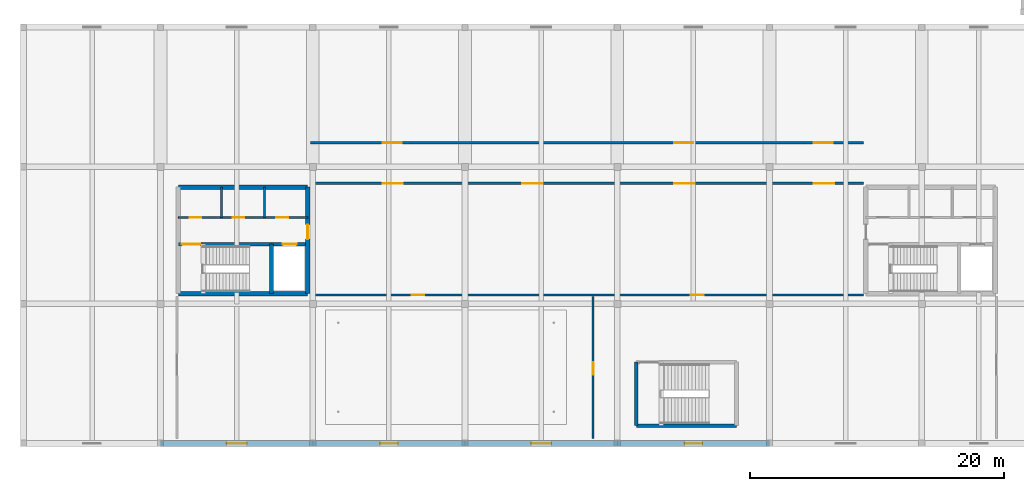
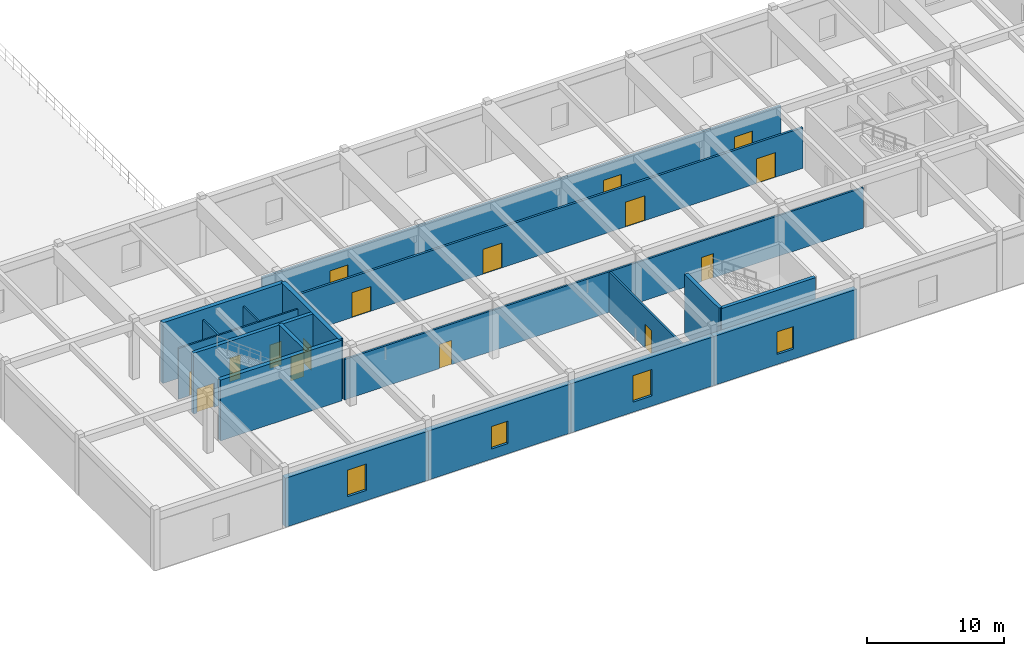
# One storey, part 82 of 97: 18 walls, 16 doors, 4 windows, 20 openings.
"""IFC4 building model written with IfcOpenShell, lengths in metres."""

import ifcopenshell
import ifcopenshell.guid

model = None  # the IFC model being written
_history = None  # IfcOwnerHistory: only IFC2X3 demands one
_inside = {}  # id of a spatial element -> (the spatial element, [elements in it])
_under = {}  # id of a project, library or spatial element -> (it, [spatial elements below it])
_declared = {}  # id of a project -> (the project, [libraries it declares])
_typed = {}  # id of a type object -> (the type object, [elements of that type])
_made_of = {}  # id of a material, layer set ... -> (it, [elements and type objects made of it])


def new_model(schema):
    """Start an empty IFC model of exactly this schema.

    Asked for "IFC4X3", IfcOpenShell would pick the latest addendum, in which some entities
    have other attributes; the version numbers below select the first issue.
    IFC2X3 requires an IfcOwnerHistory on every rooted entity: one is made here for all.
    """
    global model, _history
    if schema == "IFC4X3":
        model = ifcopenshell.file(schema_version=(4, 3, 0, 0))
    else:
        model = ifcopenshell.file(schema=schema)
    _inside.clear()
    _under.clear()
    _declared.clear()
    _typed.clear()
    _made_of.clear()
    _history = None
    if model.schema == "IFC2X3":
        org = make("IfcOrganization", Name="unknown")
        user = make(
            "IfcPersonAndOrganization",
            ThePerson=make("IfcPerson", FamilyName="unknown"),
            TheOrganization=org,
        )
        app = make(
            "IfcApplication",
            ApplicationDeveloper=org,
            Version="unknown",
            ApplicationFullName="unknown",
            ApplicationIdentifier="unknown",
        )
        _history = make(
            "IfcOwnerHistory",
            OwningUser=user,
            OwningApplication=app,
            ChangeAction="ADDED",
            CreationDate=0,
        )
    return model


def make(cls, **values):
    """One entity of the class cls with the attributes given. An attribute that is None is left unset."""
    return model.create_entity(
        cls, **{name: value for name, value in values.items() if value is not None}
    )


def rooted(cls, **values):
    """An entity with a GlobalId (a new one), such as an element, a storey or a relation."""
    return make(cls, GlobalId=ifcopenshell.guid.new(), OwnerHistory=_history, **values)


def si_unit(unit_type, name, prefix=None):
    """IfcSIUnit, for example si_unit("LENGTHUNIT", "METRE", prefix="MILLI")."""
    return make("IfcSIUnit", UnitType=unit_type, Prefix=prefix, Name=name)


def derived_unit(unit_type, elements):
    """IfcDerivedUnit: a product of units, each with its exponent."""
    return make(
        "IfcDerivedUnit",
        Elements=[
            make("IfcDerivedUnitElement", Unit=unit, Exponent=power)
            for unit, power in elements
        ],
        UnitType=unit_type,
    )


def assignment(units):
    """IfcUnitAssignment: the units of a project."""
    return None if units is None else make("IfcUnitAssignment", Units=units)


def point(xyz):
    """IfcCartesianPoint."""
    return None if xyz is None else make("IfcCartesianPoint", Coordinates=xyz)


def direction(xyz):
    """IfcDirection."""
    return None if xyz is None else make("IfcDirection", DirectionRatios=xyz)


def frame(location, z_axis=None, x_axis=None):
    """IfcAxis2Placement3D, a coordinate frame: its origin and axes. An axis left out is left unset."""
    return make(
        "IfcAxis2Placement3D",
        Location=point(location),
        Axis=direction(z_axis),
        RefDirection=direction(x_axis),
    )


def frame_2d(location, x_axis=None):
    """IfcAxis2Placement2D, a coordinate frame in the plane: its origin and x axis."""
    return make(
        "IfcAxis2Placement2D", Location=point(location), RefDirection=direction(x_axis)
    )


def origin():
    """The frame at (0, 0, 0) with its axes left unset."""
    return frame((0.0, 0.0, 0.0))


def place(relative_to, where):
    """IfcLocalPlacement: puts the frame where relative to a parent placement (None: the world)."""
    return make(
        "IfcLocalPlacement", PlacementRelTo=relative_to, RelativePlacement=where
    )


def context(
    kind, dimensions, precision=None, world=None, true_north=None, identifier=None
):
    """IfcGeometricRepresentationContext, for example the 3D "Model" context."""
    return make(
        "IfcGeometricRepresentationContext",
        ContextIdentifier=identifier,
        ContextType=kind,
        CoordinateSpaceDimension=dimensions,
        Precision=precision,
        WorldCoordinateSystem=world,
        TrueNorth=true_north,
    )


def subcontext(parent, identifier, kind, view, scale=None):
    """IfcGeometricRepresentationSubContext, for example "Body" below "Model"."""
    return make(
        "IfcGeometricRepresentationSubContext",
        ContextIdentifier=identifier,
        ContextType=kind,
        ParentContext=parent,
        TargetScale=scale,
        TargetView=view,
    )


def project(units=None, contexts=None):
    """IfcProject with its units and contexts."""
    return rooted(
        "IfcProject",
        Name="project",
        RepresentationContexts=contexts,
        UnitsInContext=assignment(units),
    )


def spatial(cls, under=None, at=None, **own):
    """A site, building, storey or space (cls), placed at a placement, below another one or the project."""
    s = rooted(cls, ObjectPlacement=at, **own)
    if under is not None:
        _under.setdefault(under.id(), (under, []))[1].append(s)
    return s


def profile(cls, at=None, kind="AREA", **sizes):
    """A parametric profile (cls). Its sizes go by their IFC names, for example OverallWidth=200.0."""
    return make(cls, ProfileType=kind, Position=at, **sizes)


def rectangle(**sizes):
    """IfcRectangleProfileDef."""
    return profile("IfcRectangleProfileDef", **sizes)


def extrude(swept, where, along, depth):
    """IfcExtrudedAreaSolid: the profile swept, set in the frame where, extruded along a direction by depth."""
    return make(
        "IfcExtrudedAreaSolid",
        SweptArea=swept,
        Position=where,
        ExtrudedDirection=direction(along),
        Depth=depth,
    )


def shape(context_of_items, identifier, shape_type, items):
    """IfcShapeRepresentation: the items that make up one representation, for example the "Body"."""
    return make(
        "IfcShapeRepresentation",
        ContextOfItems=context_of_items,
        RepresentationIdentifier=identifier,
        RepresentationType=shape_type,
        Items=items,
    )


def material(Name=None, Category=None):
    """IfcMaterial."""
    return make("IfcMaterial", Name=Name, Category=Category)


def layer(
    of_material, thickness, ventilated=None, Name=None, Category=None, Priority=None
):
    """IfcMaterialLayer: one layer of a wall or slab, of a material (None: an air gap)."""
    return make(
        "IfcMaterialLayer",
        Material=of_material,
        LayerThickness=thickness,
        IsVentilated=ventilated,
        Name=Name,
        Category=Category,
        Priority=Priority,
    )


def layer_set(layers, Name=None):
    """IfcMaterialLayerSet."""
    return make("IfcMaterialLayerSet", MaterialLayers=layers, LayerSetName=Name)


def made_of(thing, what):
    """Note that an element or type object is made of a material, layer set ...; save() writes the relation."""
    if what is not None:
        _made_of.setdefault(what.id(), (what, []))[1].append(thing)
    return thing


def type_object(cls, material=None, **own):
    """A type object (cls), such as IfcWallType, which elements share."""
    return made_of(rooted(cls, **own), material)


def element(
    cls,
    number,
    at=None,
    inside=None,
    cuts=None,
    type_object=None,
    material=None,
    context=None,
    identifier="Body",
    shape_type=None,
    held_by="IfcProductDefinitionShape",
    body=None,
    shapes=None,
    **own,
):
    """One element of the class cls, such as IfcWall. Its Tag is "e" and its number.

    at: its placement. inside: the storey or other place that contains it. cuts: it is an
    opening in that element (IfcRelVoidsElement). A single representation is given by context,
    identifier, shape_type and body (its items); several are given by shapes. held_by: the class
    of the entity that holds the representations. save() writes the other relations.
    """
    e = rooted(cls, Tag="e%d" % number, ObjectPlacement=at, **own)
    if body is not None:
        shapes = [shape(context, identifier, shape_type, body)]
    if shapes is not None:
        e.Representation = make(held_by, Representations=shapes)
    if inside is not None:
        _inside.setdefault(inside.id(), (inside, []))[1].append(e)
    if cuts is not None:
        rooted(
            "IfcRelVoidsElement", RelatingBuildingElement=cuts, RelatedOpeningElement=e
        )
    if type_object is not None:
        _typed.setdefault(type_object.id(), (type_object, []))[1].append(e)
    return made_of(e, material)


def fill(opening, filler):
    """IfcRelFillsElement: the door or window that sits in an opening."""
    return rooted(
        "IfcRelFillsElement",
        RelatingOpeningElement=opening,
        RelatedBuildingElement=filler,
    )


def aggregate(whole, parts):
    """IfcRelAggregates: a whole, such as a stair, and the parts it consists of."""
    return rooted("IfcRelAggregates", RelatingObject=whole, RelatedObjects=parts)


def save(model, path):
    """Write the relations noted so far, then the file.

    IfcRelAggregates (storeys below a building ...), IfcRelContainedInSpatialStructure (elements
    in a storey), IfcRelDefinesByType, IfcRelAssociatesMaterial and IfcRelDeclares: one each for
    every whole, place, type object, material and project.
    """
    for whole, parts in _under.values():
        aggregate(whole, parts)
    for where, things in _inside.values():
        rooted(
            "IfcRelContainedInSpatialStructure",
            RelatedElements=things,
            RelatingStructure=where,
        )
    for kind, things in _typed.values():
        rooted("IfcRelDefinesByType", RelatedObjects=things, RelatingType=kind)
    for what, things in _made_of.values():
        rooted("IfcRelAssociatesMaterial", RelatedObjects=things, RelatingMaterial=what)
    for by, libraries in _declared.values():
        rooted("IfcRelDeclares", RelatingContext=by, RelatedDefinitions=libraries)
    model.write(path)


model = new_model("IFC4")

# Units and contexts
model_context = context("Model", 3, precision=1e-05, world=origin(), true_north=direction((0.0, 1.0)))
body_context = subcontext(model_context, "Body", "Model", "MODEL_VIEW")
ifc_project = project(units=[si_unit("LENGTHUNIT", "METRE"), si_unit("AREAUNIT", "SQUARE_METRE"), si_unit("VOLUMEUNIT", "CUBIC_METRE"), si_unit("PLANEANGLEUNIT", "RADIAN"), si_unit("MASSUNIT", "GRAM", prefix="KILO"), derived_unit("THERMALTRANSMITTANCEUNIT", [(si_unit("POWERUNIT", "WATT"), 1), (si_unit("LENGTHUNIT", "METRE"), -2), (si_unit("THERMODYNAMICTEMPERATUREUNIT", "KELVIN"), -1)])], contexts=[model_context])

# Site, building, storey
site_placement = place(None, origin())
site = spatial("IfcSite", under=ifc_project, at=site_placement, CompositionType="ELEMENT")
building_placement = place(site_placement, origin())
building = spatial("IfcBuilding", under=site, at=building_placement, Name="Almenara Railside Exhibition Hall", CompositionType="ELEMENT")
storey_placement = place(building_placement, frame((0.0, 0.0, 10.800048828125)))
storey = spatial("IfcBuildingStorey", under=building, at=storey_placement, Name="L02", CompositionType="ELEMENT", Elevation=10.800048828125)

# Wall, opening, door
ifc_material_1 = material(Name="Double-stud acoustic gypsum partition")
ifc_layer_1 = layer(ifc_material_1, 0.159912109375, Name="Double-stud acoustic gypsum partition")
ifc_layer_set_1 = layer_set([ifc_layer_1], Name="Double-stud acoustic gypsum partition")
wall_type_1 = type_object("IfcWallType", Name="Acoustic Congress Partition 160mm", PredefinedType="PARTITIONING", material=ifc_layer_set_1)
wall_1_placement = place(storey_placement, frame((160.10009765625, 0.39990234375, 0.0), z_axis=(0.0, 0.0, 1.0), x_axis=(0.0, 1.0, 0.0)))
wall_1 = element("IfcWall", 1, at=wall_1_placement, inside=storey, type_object=wall_type_1, Name="Interior wall 0386", PredefinedType="PARTITIONING", context=body_context, shape_type="SweptSolid", body=[
    extrude(rectangle(XDim=11.2001953125, YDim=0.159912109375, at=frame_2d((5.60009765625, 0.0))), origin(), (0.0, 0.0, 1.0), 3.599853515625),
])
opening_1_placement = place(wall_1_placement, frame((5.0, 0.0, 0.0)))
opening_1 = element("IfcOpeningElement", 2, at=opening_1_placement, cuts=wall_1, Name="Opening ID-10", PredefinedType="OPENING", context=body_context, shape_type="SweptSolid", body=[
    extrude(rectangle(XDim=1.0, YDim=2.14990234375, at=frame_2d((0.5, 1.074951171875))), frame((0.0, 0.08984375, 0.0), z_axis=(0.0, -1.0, 0.0), x_axis=(1.0, 0.0, 0.0)), (0.0, 0.0, 1.0), 0.179931640625),
])
ifc_material_2 = material(Name="Iroko hardwood single door", Category="wood")
door_type_1 = type_object("IfcDoorType", Name="Standard Room Single Door 1000x2150", OperationType="NOTDEFINED", PredefinedType="DOOR", material=ifc_material_2)
door_1_placement = place(opening_1_placement, origin())
door_1 = element("IfcDoor", 3, at=door_1_placement, inside=storey, type_object=door_type_1, Name="Interior door ID-10-260", OperationType="SINGLE_SWING_RIGHT", OverallHeight=2.14990234375, OverallWidth=1.0, PredefinedType="DOOR", context=body_context, shape_type="SweptSolid", body=[
    extrude(rectangle(XDim=1.0, YDim=2.14990234375, at=frame_2d((0.5, 1.074951171875))), frame((0.0, 0.02490234375, 0.0), z_axis=(0.0, -1.0, 0.0), x_axis=(1.0, 0.0, 0.0)), (0.0, 0.0, 1.0), 0.050048828125),
])
fill(opening_1, door_1)

# Wall, openings, doors
wall_2_placement = place(storey_placement, frame((137.800048828125, 11.699951171875, 0.0), z_axis=(0.0, 0.0, 1.0), x_axis=(1.0, 0.0, 0.0)))
wall_2 = element("IfcWall", 4, at=wall_2_placement, inside=storey, type_object=wall_type_1, Name="Interior wall 0387", PredefinedType="PARTITIONING", context=body_context, shape_type="SweptSolid", body=[
    extrude(rectangle(XDim=43.599853515625, YDim=0.159912109375, at=frame_2d((21.7998046875, 0.0))), origin(), (0.0, 0.0, 1.0), 3.599853515625),
])
opening_2_placement = place(wall_2_placement, frame((8.0, 0.0, 0.0)))
opening_2 = element("IfcOpeningElement", 5, at=opening_2_placement, cuts=wall_2, Name="Opening ID-10", PredefinedType="OPENING", context=body_context, shape_type="SweptSolid", body=[
    extrude(rectangle(XDim=1.0, YDim=2.14990234375, at=frame_2d((0.5, 1.074951171875))), frame((0.0, 0.08984375, 0.0), z_axis=(0.0, -1.0, 0.0), x_axis=(1.0, 0.0, 0.0)), (0.0, 0.0, 1.0), 0.179931640625),
])
opening_3_placement = place(wall_2_placement, frame((30.0, 0.0, 0.0)))
opening_3 = element("IfcOpeningElement", 6, at=opening_3_placement, cuts=wall_2, Name="Opening ID-10", PredefinedType="OPENING", context=body_context, shape_type="SweptSolid", body=[
    extrude(rectangle(XDim=1.0, YDim=2.14990234375, at=frame_2d((0.5, 1.074951171875))), frame((0.0, 0.08984375, 0.0), z_axis=(0.0, -1.0, 0.0), x_axis=(1.0, 0.0, 0.0)), (0.0, 0.0, 1.0), 0.179931640625),
])
door_2_placement = place(opening_2_placement, origin())
door_2 = element("IfcDoor", 7, at=door_2_placement, inside=storey, type_object=door_type_1, Name="Interior door ID-10-261", OperationType="SINGLE_SWING_LEFT", OverallHeight=2.14990234375, OverallWidth=1.0, PredefinedType="DOOR", context=body_context, shape_type="SweptSolid", body=[
    extrude(rectangle(XDim=1.0, YDim=2.14990234375, at=frame_2d((0.5, 1.074951171875))), frame((0.0, 0.02490234375, 0.0), z_axis=(0.0, -1.0, 0.0), x_axis=(1.0, 0.0, 0.0)), (0.0, 0.0, 1.0), 0.050048828125),
])
fill(opening_2, door_2)
door_3_placement = place(opening_3_placement, origin())
door_3 = element("IfcDoor", 8, at=door_3_placement, inside=storey, type_object=door_type_1, Name="Interior door ID-10-262", OperationType="SINGLE_SWING_RIGHT", OverallHeight=2.14990234375, OverallWidth=1.0, PredefinedType="DOOR", context=body_context, shape_type="SweptSolid", body=[
    extrude(rectangle(XDim=1.0, YDim=2.14990234375, at=frame_2d((0.5, 1.074951171875))), frame((0.0, 0.02490234375, 0.0), z_axis=(0.0, -1.0, 0.0), x_axis=(1.0, 0.0, 0.0)), (0.0, 0.0, 1.0), 0.050048828125),
])
fill(opening_3, door_3)

# Walls
ifc_material_3 = material(Name="Concrete C35/45", Category="concrete")
ifc_layer_2 = layer(ifc_material_3, 0.35009765625, Name="Concrete C35/45")
ifc_layer_set_2 = layer_set([ifc_layer_2], Name="Concrete C35/45")
wall_type_2 = type_object("IfcWallType", Name="Core Coupled Shear Wall 350mm C35/45", PredefinedType="SHEAR", material=ifc_layer_set_2)
for number, where, z_axis, x_axis, name in (
    (9, (127.39990234375, 11.800048828125, 0.0), (0.0, 0.0, 1.0), (1.0, 0.0, 0.0), "Interior wall 0127"),
    (10, (137.60009765625, 20.199951171875, 0.0), (0.0, 0.0, 1.0), (-1.0, 0.0, 0.0), "Interior wall 0128"),
):
    element("IfcWall", number, at=place(storey_placement, frame(where, z_axis=z_axis, x_axis=x_axis)), inside=storey, type_object=wall_type_2, Name=name, PredefinedType="SHEAR", context=body_context, shape_type="SweptSolid", body=[
        extrude(rectangle(XDim=10.2001953125, YDim=0.35009765625, at=frame_2d((5.10009765625, 0.0))), origin(), (0.0, 0.0, 1.0), 5.39990234375),
    ])

# Wall, opening, door
wall_3_placement = place(storey_placement, frame((137.60009765625, 11.800048828125, 0.0), z_axis=(0.0, 0.0, 1.0), x_axis=(0.0, 1.0, 0.0)))
wall_3 = element("IfcWall", 11, at=wall_3_placement, inside=storey, type_object=wall_type_2, Name="Interior wall 0130", PredefinedType="SHEAR", context=body_context, shape_type="SweptSolid", body=[
    extrude(rectangle(XDim=8.39990234375, YDim=0.35009765625, at=frame_2d((4.199951171875, 0.0))), origin(), (0.0, 0.0, 1.0), 5.39990234375),
])
opening_4_placement = place(wall_3_placement, frame((4.300048828125, 0.0, 0.0)))
opening_4 = element("IfcOpeningElement", 12, at=opening_4_placement, cuts=wall_3, Name="Opening FD-115", PredefinedType="OPENING", context=body_context, shape_type="SweptSolid", body=[
    extrude(rectangle(XDim=1.14990234375, YDim=2.14990234375, at=frame_2d((0.574951171875, 1.074951171875))), frame((0.0, 0.18505859375, 0.0), z_axis=(0.0, -1.0, 0.0), x_axis=(1.0, 0.0, 0.0)), (0.0, 0.0, 1.0), 0.3701171875),
])
ifc_material_4 = material(Name="Fire-rated iroko timber door", Category="wood")
door_type_2 = type_object("IfcDoorType", Name="Core Lobby Fire Door 1150x2150 EI60", OperationType="NOTDEFINED", PredefinedType="DOOR", material=ifc_material_4)
door_4_placement = place(opening_4_placement, origin())
door_4 = element("IfcDoor", 13, at=door_4_placement, inside=storey, type_object=door_type_2, Name="Interior door FD-115-085", OperationType="SINGLE_SWING_LEFT", OverallHeight=2.14990234375, OverallWidth=1.14990234375, PredefinedType="DOOR", context=body_context, shape_type="SweptSolid", body=[
    extrude(rectangle(XDim=1.14990234375, YDim=2.14990234375, at=frame_2d((0.574951171875, 1.074951171875))), frame((0.0, 0.02490234375, 0.0), z_axis=(0.0, -1.0, 0.0), x_axis=(1.0, 0.0, 0.0)), (0.0, 0.0, 1.0), 0.050048828125),
])
fill(opening_4, door_4)

# Wall, openings, doors
ifc_material_5 = material(Name="Fire-rated gypsum and masonry partition", Category="masonry")
ifc_layer_3 = layer(ifc_material_5, 0.18505859375, Name="Fire-rated gypsum and masonry partition")
ifc_layer_set_3 = layer_set([ifc_layer_3], Name="Fire-rated gypsum and masonry partition")
wall_type_3 = type_object("IfcWallType", Name="Corridor Fire Partition 185mm", PredefinedType="PARTITIONING", material=ifc_layer_set_3)
wall_4_placement = place(storey_placement, frame((137.800048828125, 20.5, 0.0), z_axis=(0.0, 0.0, 1.0), x_axis=(1.0, 0.0, 0.0)))
wall_4 = element("IfcWall", 14, at=wall_4_placement, inside=storey, type_object=wall_type_3, Name="Interior wall 0384", PredefinedType="PARTITIONING", context=body_context, shape_type="SweptSolid", body=[
    extrude(rectangle(XDim=43.599853515625, YDim=0.18505859375, at=frame_2d((21.7998046875, 0.0))), origin(), (0.0, 0.0, 1.0), 3.599853515625),
])
opening_5_placement = place(wall_4_placement, frame((5.699951171875, 0.0, 0.0)))
opening_5 = element("IfcOpeningElement", 15, at=opening_5_placement, cuts=wall_4, Name="Opening ID-16", PredefinedType="OPENING", context=body_context, shape_type="SweptSolid", body=[
    extrude(rectangle(XDim=1.60009765625, YDim=2.199951171875, at=frame_2d((0.800048828125, 1.10009765625))), frame((0.0, 0.1025390625, 0.0), z_axis=(0.0, -1.0, 0.0), x_axis=(1.0, 0.0, 0.0)), (0.0, 0.0, 1.0), 0.205078125),
])
opening_6_placement = place(wall_4_placement, frame((28.699951171875, 0.0, 0.0)))
opening_6 = element("IfcOpeningElement", 16, at=opening_6_placement, cuts=wall_4, Name="Opening ID-16", PredefinedType="OPENING", context=body_context, shape_type="SweptSolid", body=[
    extrude(rectangle(XDim=1.60009765625, YDim=2.199951171875, at=frame_2d((0.800048828125, 1.10009765625))), frame((0.0, 0.1025390625, 0.0), z_axis=(0.0, -1.0, 0.0), x_axis=(1.0, 0.0, 0.0)), (0.0, 0.0, 1.0), 0.205078125),
])
opening_7_placement = place(wall_4_placement, frame((39.699951171875, 0.0, 0.0)))
opening_7 = element("IfcOpeningElement", 17, at=opening_7_placement, cuts=wall_4, Name="Opening ID-16", PredefinedType="OPENING", context=body_context, shape_type="SweptSolid", body=[
    extrude(rectangle(XDim=1.60009765625, YDim=2.199951171875, at=frame_2d((0.800048828125, 1.10009765625))), frame((0.0, 0.1025390625, 0.0), z_axis=(0.0, -1.0, 0.0), x_axis=(1.0, 0.0, 0.0)), (0.0, 0.0, 1.0), 0.205078125),
])
opening_8_placement = place(wall_4_placement, frame((16.699951171875, 0.0, 0.0)))
opening_8 = element("IfcOpeningElement", 18, at=opening_8_placement, cuts=wall_4, Name="Opening ID-16", PredefinedType="OPENING", context=body_context, shape_type="SweptSolid", body=[
    extrude(rectangle(XDim=1.60009765625, YDim=2.199951171875, at=frame_2d((0.800048828125, 1.10009765625))), frame((0.0, 0.1025390625, 0.0), z_axis=(0.0, -1.0, 0.0), x_axis=(1.0, 0.0, 0.0)), (0.0, 0.0, 1.0), 0.205078125),
])
ifc_material_6 = material(Name="Iroko hardwood double door", Category="wood")
door_type_3 = type_object("IfcDoorType", Name="Meeting Suite Double Door 1600x2200", OperationType="NOTDEFINED", PredefinedType="DOOR", material=ifc_material_6)
door_5_placement = place(opening_5_placement, origin())
door_5 = element("IfcDoor", 19, at=door_5_placement, inside=storey, type_object=door_type_3, Name="Interior door ID-16-253", OperationType="DOUBLE_DOOR_SINGLE_SWING", OverallHeight=2.199951171875, OverallWidth=1.60009765625, PredefinedType="DOOR", context=body_context, shape_type="SweptSolid", body=[
    extrude(rectangle(XDim=1.60009765625, YDim=2.199951171875, at=frame_2d((0.800048828125, 1.10009765625))), frame((0.0, 0.02490234375, 0.0), z_axis=(0.0, -1.0, 0.0), x_axis=(1.0, 0.0, 0.0)), (0.0, 0.0, 1.0), 0.050048828125),
])
fill(opening_5, door_5)
door_6_placement = place(opening_6_placement, origin())
door_6 = element("IfcDoor", 20, at=door_6_placement, inside=storey, type_object=door_type_3, Name="Interior door ID-16-255", OperationType="DOUBLE_DOOR_SINGLE_SWING", OverallHeight=2.199951171875, OverallWidth=1.60009765625, PredefinedType="DOOR", context=body_context, shape_type="SweptSolid", body=[
    extrude(rectangle(XDim=1.60009765625, YDim=2.199951171875, at=frame_2d((0.800048828125, 1.10009765625))), frame((0.0, 0.02490234375, 0.0), z_axis=(0.0, -1.0, 0.0), x_axis=(1.0, 0.0, 0.0)), (0.0, 0.0, 1.0), 0.050048828125),
])
fill(opening_6, door_6)
door_7_placement = place(opening_7_placement, origin())
door_7 = element("IfcDoor", 21, at=door_7_placement, inside=storey, type_object=door_type_3, Name="Interior door ID-16-257", OperationType="DOUBLE_DOOR_SINGLE_SWING", OverallHeight=2.199951171875, OverallWidth=1.60009765625, PredefinedType="DOOR", context=body_context, shape_type="SweptSolid", body=[
    extrude(rectangle(XDim=1.60009765625, YDim=2.199951171875, at=frame_2d((0.800048828125, 1.10009765625))), frame((0.0, 0.02490234375, 0.0), z_axis=(0.0, -1.0, 0.0), x_axis=(1.0, 0.0, 0.0)), (0.0, 0.0, 1.0), 0.050048828125),
])
fill(opening_7, door_7)
door_8_placement = place(opening_8_placement, origin())
door_8 = element("IfcDoor", 22, at=door_8_placement, inside=storey, type_object=door_type_3, Name="Interior door ID-16-259", OperationType="DOUBLE_DOOR_SINGLE_SWING", OverallHeight=2.199951171875, OverallWidth=1.60009765625, PredefinedType="DOOR", context=body_context, shape_type="SweptSolid", body=[
    extrude(rectangle(XDim=1.60009765625, YDim=2.199951171875, at=frame_2d((0.800048828125, 1.10009765625))), frame((0.0, 0.02490234375, 0.0), z_axis=(0.0, -1.0, 0.0), x_axis=(1.0, 0.0, 0.0)), (0.0, 0.0, 1.0), 0.050048828125),
])
fill(opening_8, door_8)

wall_5_placement = place(storey_placement, frame((137.800048828125, 23.699951171875, 0.0), z_axis=(0.0, 0.0, 1.0), x_axis=(1.0, 0.0, 0.0)))
wall_5 = element("IfcWall", 23, at=wall_5_placement, inside=storey, type_object=wall_type_3, Name="Interior wall 0385", PredefinedType="PARTITIONING", context=body_context, shape_type="SweptSolid", body=[
    extrude(rectangle(XDim=43.599853515625, YDim=0.18505859375, at=frame_2d((21.7998046875, 0.0))), origin(), (0.0, 0.0, 1.0), 3.599853515625),
])
opening_9_placement = place(wall_5_placement, frame((5.699951171875, 0.0, 0.0)))
opening_9 = element("IfcOpeningElement", 24, at=opening_9_placement, cuts=wall_5, Name="Opening ID-15", PredefinedType="OPENING", context=body_context, shape_type="SweptSolid", body=[
    extrude(rectangle(XDim=1.5, YDim=2.199951171875, at=frame_2d((0.75, 1.10009765625))), frame((0.0, 0.1025390625, 0.0), z_axis=(0.0, -1.0, 0.0), x_axis=(1.0, 0.0, 0.0)), (0.0, 0.0, 1.0), 0.205078125),
])
opening_10_placement = place(wall_5_placement, frame((28.699951171875, 0.0, 0.0)))
opening_10 = element("IfcOpeningElement", 25, at=opening_10_placement, cuts=wall_5, Name="Opening ID-15", PredefinedType="OPENING", context=body_context, shape_type="SweptSolid", body=[
    extrude(rectangle(XDim=1.5, YDim=2.199951171875, at=frame_2d((0.75, 1.10009765625))), frame((0.0, 0.1025390625, 0.0), z_axis=(0.0, -1.0, 0.0), x_axis=(1.0, 0.0, 0.0)), (0.0, 0.0, 1.0), 0.205078125),
])
opening_11_placement = place(wall_5_placement, frame((39.699951171875, 0.0, 0.0)))
opening_11 = element("IfcOpeningElement", 26, at=opening_11_placement, cuts=wall_5, Name="Opening ID-15", PredefinedType="OPENING", context=body_context, shape_type="SweptSolid", body=[
    extrude(rectangle(XDim=1.5, YDim=2.199951171875, at=frame_2d((0.75, 1.10009765625))), frame((0.0, 0.1025390625, 0.0), z_axis=(0.0, -1.0, 0.0), x_axis=(1.0, 0.0, 0.0)), (0.0, 0.0, 1.0), 0.205078125),
])
door_type_4 = type_object("IfcDoorType", Name="Gallery Double Door 1500x2200", OperationType="NOTDEFINED", PredefinedType="DOOR", material=ifc_material_6)
door_9_placement = place(opening_9_placement, origin())
door_9 = element("IfcDoor", 27, at=door_9_placement, inside=storey, type_object=door_type_4, Name="Interior door ID-15-254", OperationType="DOUBLE_DOOR_SINGLE_SWING", OverallHeight=2.199951171875, OverallWidth=1.5, PredefinedType="DOOR", context=body_context, shape_type="SweptSolid", body=[
    extrude(rectangle(XDim=1.5, YDim=2.199951171875, at=frame_2d((0.75, 1.10009765625))), frame((0.0, 0.02490234375, 0.0), z_axis=(0.0, -1.0, 0.0), x_axis=(1.0, 0.0, 0.0)), (0.0, 0.0, 1.0), 0.050048828125),
])
fill(opening_9, door_9)
door_10_placement = place(opening_10_placement, origin())
door_10 = element("IfcDoor", 28, at=door_10_placement, inside=storey, type_object=door_type_4, Name="Interior door ID-15-256", OperationType="DOUBLE_DOOR_SINGLE_SWING", OverallHeight=2.199951171875, OverallWidth=1.5, PredefinedType="DOOR", context=body_context, shape_type="SweptSolid", body=[
    extrude(rectangle(XDim=1.5, YDim=2.199951171875, at=frame_2d((0.75, 1.10009765625))), frame((0.0, 0.02490234375, 0.0), z_axis=(0.0, -1.0, 0.0), x_axis=(1.0, 0.0, 0.0)), (0.0, 0.0, 1.0), 0.050048828125),
])
fill(opening_10, door_10)
door_11_placement = place(opening_11_placement, origin())
door_11 = element("IfcDoor", 29, at=door_11_placement, inside=storey, type_object=door_type_4, Name="Interior door ID-15-258", OperationType="DOUBLE_DOOR_SINGLE_SWING", OverallHeight=2.199951171875, OverallWidth=1.5, PredefinedType="DOOR", context=body_context, shape_type="SweptSolid", body=[
    extrude(rectangle(XDim=1.5, YDim=2.199951171875, at=frame_2d((0.75, 1.10009765625))), frame((0.0, 0.02490234375, 0.0), z_axis=(0.0, -1.0, 0.0), x_axis=(1.0, 0.0, 0.0)), (0.0, 0.0, 1.0), 0.050048828125),
])
fill(opening_11, door_11)

# Wall, opening, window
ifc_material_7 = material(Name="Ochre-white lime-rendered masonry over Concrete C35/45", Category="masonry")
ifc_layer_4 = layer(ifc_material_7, 0.449951171875, Name="Ochre-white lime-rendered masonry over Concrete C35/45")
ifc_layer_set_4 = layer_set([ifc_layer_4], Name="Ochre-white lime-rendered masonry over Concrete C35/45")
wall_type_4 = type_object("IfcWallType", Name="Exterior Civic Stucco Wall 450mm C35/45", PredefinedType="SOLIDWALL", material=ifc_layer_set_4)
wall_6_placement = place(storey_placement, frame((126.0, 0.0, 0.0), z_axis=(0.0, 0.0, 1.0), x_axis=(1.0, 0.0, 0.0)))
wall_6 = element("IfcWall", 30, at=wall_6_placement, inside=storey, type_object=wall_type_4, Name="Exterior wall 0246", PredefinedType="SOLIDWALL", context=body_context, shape_type="SweptSolid", body=[
    extrude(rectangle(XDim=12.0, YDim=0.449951171875, at=frame_2d((6.0, 0.0))), origin(), (0.0, 0.0, 1.0), 4.349853515625),
])
opening_12_placement = place(wall_6_placement, frame((5.199951171875, 0.0, 0.89990234375)))
opening_12 = element("IfcOpeningElement", 31, at=opening_12_placement, cuts=wall_6, Name="Opening W-07", PredefinedType="OPENING", context=body_context, shape_type="SweptSolid", body=[
    extrude(rectangle(XDim=1.60009765625, YDim=2.35009765625, at=frame_2d((0.800048828125, 1.175048828125))), frame((0.0, 0.23486328125, 0.0), z_axis=(0.0, -1.0, 0.0), x_axis=(1.0, 0.0, 0.0)), (0.0, 0.0, 1.0), 0.469970703125),
])
ifc_material_8 = material(Name="Bronze-anodised aluminium and low-E double glazing", Category="aluminium")
window_type_1 = type_object("IfcWindowType", Name="Belvedere Casement Window 1600x2350", PartitioningType="DOUBLE_PANEL_VERTICAL", PredefinedType="WINDOW", material=ifc_material_8)
window_1_placement = place(opening_12_placement, origin())
window_1 = element("IfcWindow", 32, at=window_1_placement, inside=storey, type_object=window_type_1, Name="Window 0095", OverallHeight=2.35009765625, OverallWidth=1.60009765625, PartitioningType="DOUBLE_PANEL_VERTICAL", PredefinedType="WINDOW", context=body_context, shape_type="SweptSolid", body=[
    extrude(rectangle(XDim=1.60009765625, YDim=2.35009765625, at=frame_2d((0.800048828125, 1.175048828125))), frame((0.0, 0.030029296875, 0.0), z_axis=(0.0, -1.0, 0.0), x_axis=(1.0, 0.0, 0.0)), (0.0, 0.0, 1.0), 0.06005859375),
])
fill(opening_12, window_1)

wall_7_placement = place(storey_placement, frame((138.0, 0.0, 0.0), z_axis=(0.0, 0.0, 1.0), x_axis=(1.0, 0.0, 0.0)))
wall_7 = element("IfcWall", 33, at=wall_7_placement, inside=storey, type_object=wall_type_4, Name="Exterior wall 0248", PredefinedType="SOLIDWALL", context=body_context, shape_type="SweptSolid", body=[
    extrude(rectangle(XDim=12.0, YDim=0.449951171875, at=frame_2d((6.0, 0.0))), origin(), (0.0, 0.0, 1.0), 4.349853515625),
])
opening_13_placement = place(wall_7_placement, frame((5.300048828125, 0.0, 0.89990234375)))
opening_13 = element("IfcOpeningElement", 34, at=opening_13_placement, cuts=wall_7, Name="Opening W-09", PredefinedType="OPENING", context=body_context, shape_type="SweptSolid", body=[
    extrude(rectangle(XDim=1.39990234375, YDim=2.0, at=frame_2d((0.699951171875, 1.0))), frame((0.0, 0.23486328125, 0.0), z_axis=(0.0, -1.0, 0.0), x_axis=(1.0, 0.0, 0.0)), (0.0, 0.0, 1.0), 0.469970703125),
])
window_type_2 = type_object("IfcWindowType", Name="Office Deep-Reveal Window 1400x2000", PartitioningType="DOUBLE_PANEL_VERTICAL", PredefinedType="WINDOW", material=ifc_material_8)
window_2_placement = place(opening_13_placement, origin())
window_2 = element("IfcWindow", 35, at=window_2_placement, inside=storey, type_object=window_type_2, Name="Window 0097", OverallHeight=2.0, OverallWidth=1.39990234375, PartitioningType="DOUBLE_PANEL_VERTICAL", PredefinedType="WINDOW", context=body_context, shape_type="SweptSolid", body=[
    extrude(rectangle(XDim=1.39990234375, YDim=2.0, at=frame_2d((0.699951171875, 1.0))), frame((0.0, 0.030029296875, 0.0), z_axis=(0.0, -1.0, 0.0), x_axis=(1.0, 0.0, 0.0)), (0.0, 0.0, 1.0), 0.06005859375),
])
fill(opening_13, window_2)

wall_8_placement = place(storey_placement, frame((150.0, 0.0, 0.0), z_axis=(0.0, 0.0, 1.0), x_axis=(1.0, 0.0, 0.0)))
wall_8 = element("IfcWall", 36, at=wall_8_placement, inside=storey, type_object=wall_type_4, Name="Exterior wall 0250", PredefinedType="SOLIDWALL", context=body_context, shape_type="SweptSolid", body=[
    extrude(rectangle(XDim=12.0, YDim=0.449951171875, at=frame_2d((6.0, 0.0))), origin(), (0.0, 0.0, 1.0), 4.349853515625),
])
opening_14_placement = place(wall_8_placement, frame((5.199951171875, 0.0, 0.89990234375)))
opening_14 = element("IfcOpeningElement", 37, at=opening_14_placement, cuts=wall_8, Name="Opening W-07", PredefinedType="OPENING", context=body_context, shape_type="SweptSolid", body=[
    extrude(rectangle(XDim=1.60009765625, YDim=2.35009765625, at=frame_2d((0.800048828125, 1.175048828125))), frame((0.0, 0.23486328125, 0.0), z_axis=(0.0, -1.0, 0.0), x_axis=(1.0, 0.0, 0.0)), (0.0, 0.0, 1.0), 0.469970703125),
])
window_3_placement = place(opening_14_placement, origin())
window_3 = element("IfcWindow", 38, at=window_3_placement, inside=storey, type_object=window_type_1, Name="Window 0099", OverallHeight=2.35009765625, OverallWidth=1.60009765625, PartitioningType="DOUBLE_PANEL_VERTICAL", PredefinedType="WINDOW", context=body_context, shape_type="SweptSolid", body=[
    extrude(rectangle(XDim=1.60009765625, YDim=2.35009765625, at=frame_2d((0.800048828125, 1.175048828125))), frame((0.0, 0.030029296875, 0.0), z_axis=(0.0, -1.0, 0.0), x_axis=(1.0, 0.0, 0.0)), (0.0, 0.0, 1.0), 0.06005859375),
])
fill(opening_14, window_3)

wall_9_placement = place(storey_placement, frame((162.0, 0.0, 0.0), z_axis=(0.0, 0.0, 1.0), x_axis=(1.0, 0.0, 0.0)))
wall_9 = element("IfcWall", 39, at=wall_9_placement, inside=storey, type_object=wall_type_4, Name="Exterior wall 0252", PredefinedType="SOLIDWALL", context=body_context, shape_type="SweptSolid", body=[
    extrude(rectangle(XDim=12.0, YDim=0.449951171875, at=frame_2d((6.0, 0.0))), origin(), (0.0, 0.0, 1.0), 4.349853515625),
])
opening_15_placement = place(wall_9_placement, frame((5.300048828125, 0.0, 0.89990234375)))
opening_15 = element("IfcOpeningElement", 40, at=opening_15_placement, cuts=wall_9, Name="Opening W-09", PredefinedType="OPENING", context=body_context, shape_type="SweptSolid", body=[
    extrude(rectangle(XDim=1.39990234375, YDim=2.0, at=frame_2d((0.699951171875, 1.0))), frame((0.0, 0.23486328125, 0.0), z_axis=(0.0, -1.0, 0.0), x_axis=(1.0, 0.0, 0.0)), (0.0, 0.0, 1.0), 0.469970703125),
])
window_4_placement = place(opening_15_placement, origin())
window_4 = element("IfcWindow", 41, at=window_4_placement, inside=storey, type_object=window_type_2, Name="Window 0101", OverallHeight=2.0, OverallWidth=1.39990234375, PartitioningType="DOUBLE_PANEL_VERTICAL", PredefinedType="WINDOW", context=body_context, shape_type="SweptSolid", body=[
    extrude(rectangle(XDim=1.39990234375, YDim=2.0, at=frame_2d((0.699951171875, 1.0))), frame((0.0, 0.030029296875, 0.0), z_axis=(0.0, -1.0, 0.0), x_axis=(1.0, 0.0, 0.0)), (0.0, 0.0, 1.0), 0.06005859375),
])
fill(opening_15, window_4)

# Wall, openings, doors
ifc_material_9 = material(Name="Moisture-resistant tiled masonry partition", Category="masonry")
ifc_layer_5 = layer(ifc_material_9, 0.139892578125, Name="Moisture-resistant tiled masonry partition")
ifc_layer_set_5 = layer_set([ifc_layer_5], Name="Moisture-resistant tiled masonry partition")
wall_type_5 = type_object("IfcWallType", Name="Sanitary Wet-Wall Partition 140mm", PredefinedType="PARTITIONING", material=ifc_layer_set_5)
wall_10_placement = place(storey_placement, frame((127.39990234375, 17.800048828125, 0.0), z_axis=(0.0, 0.0, 1.0), x_axis=(1.0, 0.0, 0.0)))
wall_10 = element("IfcWall", 42, at=wall_10_placement, inside=storey, type_object=wall_type_5, Name="Interior wall 0133", PredefinedType="PARTITIONING", context=body_context, shape_type="SweptSolid", body=[
    extrude(rectangle(XDim=10.2001953125, YDim=0.139892578125, at=frame_2d((5.10009765625, 0.0))), origin(), (0.0, 0.0, 1.0), 4.5),
])
opening_16_placement = place(wall_10_placement, frame((0.89990234375, 0.0, 0.0)))
opening_16 = element("IfcOpeningElement", 43, at=opening_16_placement, cuts=wall_10, Name="Opening ID-09", PredefinedType="OPENING", context=body_context, shape_type="SweptSolid", body=[
    extrude(rectangle(XDim=0.89990234375, YDim=2.10009765625, at=frame_2d((0.449951171875, 1.050048828125))), frame((0.0, 0.079833984375, 0.0), z_axis=(0.0, -1.0, 0.0), x_axis=(1.0, 0.0, 0.0)), (0.0, 0.0, 1.0), 0.159912109375),
])
opening_17_placement = place(wall_10_placement, frame((4.300048828125, 0.0, 0.0)))
opening_17 = element("IfcOpeningElement", 44, at=opening_17_placement, cuts=wall_10, Name="Opening ID-09", PredefinedType="OPENING", context=body_context, shape_type="SweptSolid", body=[
    extrude(rectangle(XDim=0.89990234375, YDim=2.10009765625, at=frame_2d((0.449951171875, 1.050048828125))), frame((0.0, 0.079833984375, 0.0), z_axis=(0.0, -1.0, 0.0), x_axis=(1.0, 0.0, 0.0)), (0.0, 0.0, 1.0), 0.159912109375),
])
opening_18_placement = place(wall_10_placement, frame((7.699951171875, 0.0, 0.0)))
opening_18 = element("IfcOpeningElement", 45, at=opening_18_placement, cuts=wall_10, Name="Opening ID-095", PredefinedType="OPENING", context=body_context, shape_type="SweptSolid", body=[
    extrude(rectangle(XDim=0.949951171875, YDim=2.10009765625, at=frame_2d((0.47509765625, 1.050048828125))), frame((0.0, 0.079833984375, 0.0), z_axis=(0.0, -1.0, 0.0), x_axis=(1.0, 0.0, 0.0)), (0.0, 0.0, 1.0), 0.159912109375),
])
ifc_material_10 = material(Name="Moisture-resistant hardwood door", Category="wood")
door_type_5 = type_object("IfcDoorType", Name="Accessible Toilet Door 950x2100", OperationType="NOTDEFINED", PredefinedType="DOOR", material=ifc_material_10)
door_12_placement = place(opening_18_placement, origin())
door_12 = element("IfcDoor", 46, at=door_12_placement, inside=storey, type_object=door_type_5, Name="Interior door ID-095-090", OperationType="SINGLE_SWING_RIGHT", OverallHeight=2.10009765625, OverallWidth=0.949951171875, PredefinedType="DOOR", context=body_context, shape_type="SweptSolid", body=[
    extrude(rectangle(XDim=0.949951171875, YDim=2.10009765625, at=frame_2d((0.47509765625, 1.050048828125))), frame((0.0, 0.02490234375, 0.0), z_axis=(0.0, -1.0, 0.0), x_axis=(1.0, 0.0, 0.0)), (0.0, 0.0, 1.0), 0.050048828125),
])
fill(opening_18, door_12)
door_type_6 = type_object("IfcDoorType", Name="Sanitary Lobby Single Door 900x2100", OperationType="NOTDEFINED", PredefinedType="DOOR", material=ifc_material_10)
door_13_placement = place(opening_16_placement, origin())
door_13 = element("IfcDoor", 47, at=door_13_placement, inside=storey, type_object=door_type_6, Name="Interior door ID-09-088", OperationType="SINGLE_SWING_RIGHT", OverallHeight=2.10009765625, OverallWidth=0.89990234375, PredefinedType="DOOR", context=body_context, shape_type="SweptSolid", body=[
    extrude(rectangle(XDim=0.89990234375, YDim=2.10009765625, at=frame_2d((0.449951171875, 1.050048828125))), frame((0.0, 0.02490234375, 0.0), z_axis=(0.0, -1.0, 0.0), x_axis=(1.0, 0.0, 0.0)), (0.0, 0.0, 1.0), 0.050048828125),
])
fill(opening_16, door_13)
door_14_placement = place(opening_17_placement, origin())
door_14 = element("IfcDoor", 48, at=door_14_placement, inside=storey, type_object=door_type_6, Name="Interior door ID-09-089", OperationType="SINGLE_SWING_LEFT", OverallHeight=2.10009765625, OverallWidth=0.89990234375, PredefinedType="DOOR", context=body_context, shape_type="SweptSolid", body=[
    extrude(rectangle(XDim=0.89990234375, YDim=2.10009765625, at=frame_2d((0.449951171875, 1.050048828125))), frame((0.0, 0.02490234375, 0.0), z_axis=(0.0, -1.0, 0.0), x_axis=(1.0, 0.0, 0.0)), (0.0, 0.0, 1.0), 0.050048828125),
])
fill(opening_17, door_14)

# Walls
for number, where, z_axis, x_axis, name in (
    (49, (130.800048828125, 17.800048828125, 0.0), (0.0, 0.0, 1.0), (0.0, 1.0, 0.0), "Interior wall 0134"),
    (50, (134.199951171875, 17.800048828125, 0.0), (0.0, 0.0, 1.0), (0.0, 1.0, 0.0), "Interior wall 0135"),
):
    element("IfcWall", number, at=place(storey_placement, frame(where, z_axis=z_axis, x_axis=x_axis)), inside=storey, type_object=wall_type_5, Name=name, PredefinedType="PARTITIONING", context=body_context, shape_type="SweptSolid", body=[
        extrude(rectangle(XDim=2.39990234375, YDim=0.139892578125, at=frame_2d((1.199951171875, 0.0))), origin(), (0.0, 0.0, 1.0), 4.5),
    ])

# Wall, openings, doors
ifc_layer_6 = layer(ifc_material_3, 0.300048828125, Name="Concrete C35/45")
ifc_layer_set_6 = layer_set([ifc_layer_6], Name="Concrete C35/45")
wall_type_6 = type_object("IfcWallType", Name="Stair and Lift Shaft Wall 300mm C35/45", PredefinedType="SHEAR", material=ifc_layer_set_6)
wall_11_placement = place(storey_placement, frame((127.39990234375, 15.699951171875, 0.0), z_axis=(0.0, 0.0, 1.0), x_axis=(1.0, 0.0, 0.0)))
wall_11 = element("IfcWall", 51, at=wall_11_placement, inside=storey, type_object=wall_type_6, Name="Interior wall 0131", PredefinedType="SHEAR", context=body_context, shape_type="SweptSolid", body=[
    extrude(rectangle(XDim=10.2001953125, YDim=0.300048828125, at=frame_2d((5.10009765625, 0.0))), origin(), (0.0, 0.0, 1.0), 5.39990234375),
])
opening_19_placement = place(wall_11_placement, frame((0.280029296875, 0.0, 0.0)))
opening_19 = element("IfcOpeningElement", 52, at=opening_19_placement, cuts=wall_11, Name="Opening FD-145", PredefinedType="OPENING", context=body_context, shape_type="SweptSolid", body=[
    extrude(rectangle(XDim=1.449951171875, YDim=2.14990234375, at=frame_2d((0.72509765625, 1.074951171875))), frame((0.0, 0.159912109375, 0.0), z_axis=(0.0, -1.0, 0.0), x_axis=(1.0, 0.0, 0.0)), (0.0, 0.0, 1.0), 0.320068359375),
])
opening_20_placement = place(wall_11_placement, frame((8.22509765625, 0.0, 0.0)))
opening_20 = element("IfcOpeningElement", 53, at=opening_20_placement, cuts=wall_11, Name="Opening LD-11-C5", PredefinedType="OPENING", context=body_context, shape_type="SweptSolid", body=[
    extrude(rectangle(XDim=1.10009765625, YDim=2.14990234375, at=frame_2d((0.550048828125, 1.074951171875))), frame((0.0, 0.159912109375, 0.0), z_axis=(0.0, -1.0, 0.0), x_axis=(1.0, 0.0, 0.0)), (0.0, 0.0, 1.0), 0.320068359375),
])
ifc_material_11 = material(Name="Steel-framed fire-rated timber door", Category="steel")
door_type_7 = type_object("IfcDoorType", Name="Fire Escape Stair Door 1450x2150 EI60", OperationType="NOTDEFINED", PredefinedType="DOOR", material=ifc_material_11)
door_15_placement = place(opening_19_placement, origin())
door_15 = element("IfcDoor", 54, at=door_15_placement, inside=storey, type_object=door_type_7, Name="Interior door FD-145-086", OperationType="DOUBLE_DOOR_SINGLE_SWING", OverallHeight=2.14990234375, OverallWidth=1.449951171875, PredefinedType="DOOR", context=body_context, shape_type="SweptSolid", body=[
    extrude(rectangle(XDim=1.449951171875, YDim=2.14990234375, at=frame_2d((0.72509765625, 1.074951171875))), frame((0.0, 0.02490234375, 0.0), z_axis=(0.0, -1.0, 0.0), x_axis=(1.0, 0.0, 0.0)), (0.0, 0.0, 1.0), 0.050048828125),
])
fill(opening_19, door_15)
ifc_material_12 = material(Name="Brushed bronze-stainless steel sliding landing door", Category="steel")
door_type_8 = type_object("IfcDoorType", Name="Passenger Lift Sliding Landing Door 1100x2150", OperationType="DOUBLE_DOOR_SLIDING", PredefinedType="DOOR", material=ifc_material_12)
door_16_placement = place(opening_20_placement, origin())
door_16 = element("IfcDoor", 55, at=door_16_placement, inside=storey, type_object=door_type_8, Name="Interior door LD-11-C5-087", OperationType="DOUBLE_DOOR_SLIDING", OverallHeight=2.14990234375, OverallWidth=1.10009765625, PredefinedType="DOOR", context=body_context, shape_type="SweptSolid", body=[
    extrude(rectangle(XDim=1.10009765625, YDim=2.14990234375, at=frame_2d((0.550048828125, 1.074951171875))), frame((0.0, 0.02490234375, 0.0), z_axis=(0.0, -1.0, 0.0), x_axis=(1.0, 0.0, 0.0)), (0.0, 0.0, 1.0), 0.050048828125),
])
fill(opening_20, door_16)

# Walls
wall_12_placement = place(storey_placement, frame((134.75, 11.800048828125, 0.0), z_axis=(0.0, 0.0, 1.0), x_axis=(0.0, 1.0, 0.0)))
element("IfcWall", 56, at=wall_12_placement, inside=storey, type_object=wall_type_6, Name="Interior wall 0132", PredefinedType="SHEAR", context=body_context, shape_type="SweptSolid", body=[
    extrude(rectangle(XDim=3.89990234375, YDim=0.300048828125, at=frame_2d((1.949951171875, 0.0))), origin(), (0.0, 0.0, 1.0), 5.39990234375),
])
wall_13_placement = place(storey_placement, frame((163.5, 1.39990234375, 0.0), z_axis=(0.0, 0.0, 1.0), x_axis=(1.0, 0.0, 0.0)))
element("IfcWall", 57, at=wall_13_placement, inside=storey, type_object=wall_type_6, Name="Interior wall 0324", PredefinedType="SHEAR", context=body_context, shape_type="SweptSolid", body=[
    extrude(rectangle(XDim=7.89990234375, YDim=0.300048828125, at=frame_2d((3.949951171875, 0.0))), origin(), (0.0, 0.0, 1.0), 5.39990234375),
])
wall_14_placement = place(storey_placement, frame((163.5, 6.39990234375, 0.0), z_axis=(0.0, 0.0, 1.0), x_axis=(0.0, -1.0, 0.0)))
element("IfcWall", 58, at=wall_14_placement, inside=storey, type_object=wall_type_6, Name="Interior wall 0326", PredefinedType="SHEAR", context=body_context, shape_type="SweptSolid", body=[
    extrude(rectangle(XDim=5.0, YDim=0.300048828125, at=frame_2d((2.5, 0.0))), origin(), (0.0, 0.0, 1.0), 5.39990234375),
])

save(model, "model.ifc")
